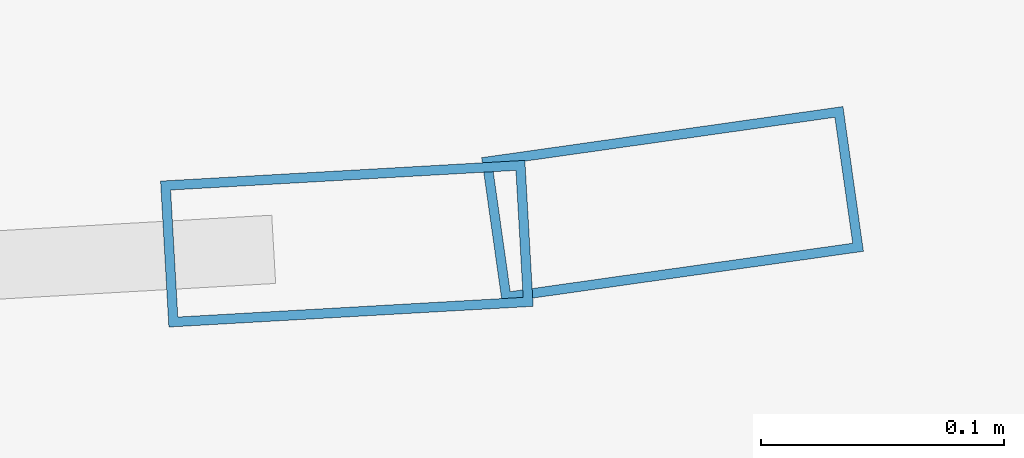
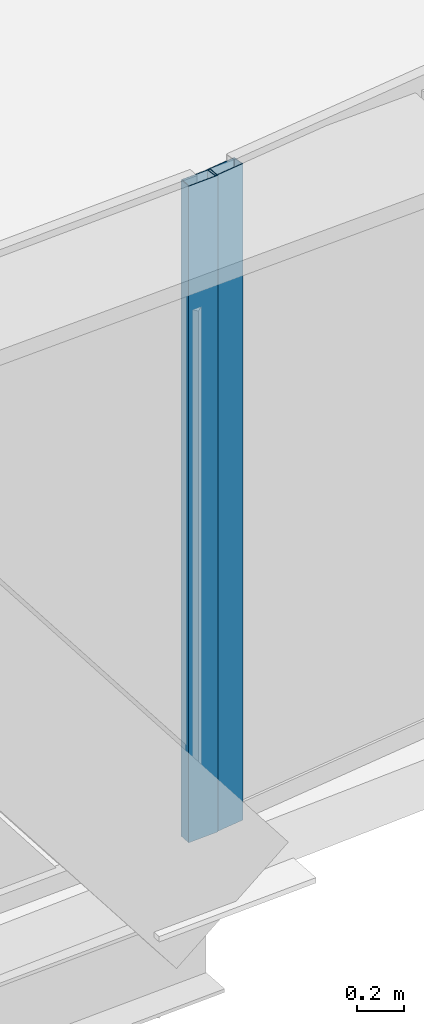
# One storey, part 14 of 42: 2 members, 2 elements without a shape of their own.
"""IFC4 building model written with IfcOpenShell, lengths in metres."""

import ifcopenshell
import ifcopenshell.guid

model = None  # the IFC model being written
_history = None  # IfcOwnerHistory: only IFC2X3 demands one
_inside = {}  # id of a spatial element -> (the spatial element, [elements in it])
_under = {}  # id of a project, library or spatial element -> (it, [spatial elements below it])
_declared = {}  # id of a project -> (the project, [libraries it declares])
_typed = {}  # id of a type object -> (the type object, [elements of that type])
_made_of = {}  # id of a material, layer set ... -> (it, [elements and type objects made of it])


def new_model(schema):
    """Start an empty IFC model of exactly this schema.

    Asked for "IFC4X3", IfcOpenShell would pick the latest addendum, in which some entities
    have other attributes; the version numbers below select the first issue.
    IFC2X3 requires an IfcOwnerHistory on every rooted entity: one is made here for all.
    """
    global model, _history
    if schema == "IFC4X3":
        model = ifcopenshell.file(schema_version=(4, 3, 0, 0))
    else:
        model = ifcopenshell.file(schema=schema)
    _inside.clear()
    _under.clear()
    _declared.clear()
    _typed.clear()
    _made_of.clear()
    _history = None
    if model.schema == "IFC2X3":
        org = make("IfcOrganization", Name="unknown")
        user = make(
            "IfcPersonAndOrganization",
            ThePerson=make("IfcPerson", FamilyName="unknown"),
            TheOrganization=org,
        )
        app = make(
            "IfcApplication",
            ApplicationDeveloper=org,
            Version="unknown",
            ApplicationFullName="unknown",
            ApplicationIdentifier="unknown",
        )
        _history = make(
            "IfcOwnerHistory",
            OwningUser=user,
            OwningApplication=app,
            ChangeAction="ADDED",
            CreationDate=0,
        )
    return model


def make(cls, **values):
    """One entity of the class cls with the attributes given. An attribute that is None is left unset."""
    return model.create_entity(
        cls, **{name: value for name, value in values.items() if value is not None}
    )


def rooted(cls, **values):
    """An entity with a GlobalId (a new one), such as an element, a storey or a relation."""
    return make(cls, GlobalId=ifcopenshell.guid.new(), OwnerHistory=_history, **values)


def si_unit(unit_type, name, prefix=None):
    """IfcSIUnit, for example si_unit("LENGTHUNIT", "METRE", prefix="MILLI")."""
    return make("IfcSIUnit", UnitType=unit_type, Prefix=prefix, Name=name)


def assignment(units):
    """IfcUnitAssignment: the units of a project."""
    return None if units is None else make("IfcUnitAssignment", Units=units)


def point(xyz):
    """IfcCartesianPoint."""
    return None if xyz is None else make("IfcCartesianPoint", Coordinates=xyz)


def direction(xyz):
    """IfcDirection."""
    return None if xyz is None else make("IfcDirection", DirectionRatios=xyz)


def frame(location, z_axis=None, x_axis=None):
    """IfcAxis2Placement3D, a coordinate frame: its origin and axes. An axis left out is left unset."""
    return make(
        "IfcAxis2Placement3D",
        Location=point(location),
        Axis=direction(z_axis),
        RefDirection=direction(x_axis),
    )


def frame_2d(location, x_axis=None):
    """IfcAxis2Placement2D, a coordinate frame in the plane: its origin and x axis."""
    return make(
        "IfcAxis2Placement2D", Location=point(location), RefDirection=direction(x_axis)
    )


def origin():
    """The frame at (0, 0, 0) with its axes left unset."""
    return frame((0.0, 0.0, 0.0))


def origin_2d():
    """The frame at (0, 0) in the plane with its x axis left unset."""
    return frame_2d((0.0, 0.0))


def place(relative_to, where):
    """IfcLocalPlacement: puts the frame where relative to a parent placement (None: the world)."""
    return make(
        "IfcLocalPlacement", PlacementRelTo=relative_to, RelativePlacement=where
    )


def context(
    kind, dimensions, precision=None, world=None, true_north=None, identifier=None
):
    """IfcGeometricRepresentationContext, for example the 3D "Model" context."""
    return make(
        "IfcGeometricRepresentationContext",
        ContextIdentifier=identifier,
        ContextType=kind,
        CoordinateSpaceDimension=dimensions,
        Precision=precision,
        WorldCoordinateSystem=world,
        TrueNorth=true_north,
    )


def subcontext(parent, identifier, kind, view, scale=None):
    """IfcGeometricRepresentationSubContext, for example "Body" below "Model"."""
    return make(
        "IfcGeometricRepresentationSubContext",
        ContextIdentifier=identifier,
        ContextType=kind,
        ParentContext=parent,
        TargetScale=scale,
        TargetView=view,
    )


def project(units=None, contexts=None):
    """IfcProject with its units and contexts."""
    return rooted(
        "IfcProject",
        Name="project",
        RepresentationContexts=contexts,
        UnitsInContext=assignment(units),
    )


def spatial(cls, under=None, at=None, **own):
    """A site, building, storey or space (cls), placed at a placement, below another one or the project."""
    s = rooted(cls, ObjectPlacement=at, **own)
    if under is not None:
        _under.setdefault(under.id(), (under, []))[1].append(s)
    return s


def profile(cls, at=None, kind="AREA", **sizes):
    """A parametric profile (cls). Its sizes go by their IFC names, for example OverallWidth=200.0."""
    return make(cls, ProfileType=kind, Position=at, **sizes)


def hollow_rectangle(**sizes):
    """IfcRectangleHollowProfileDef."""
    return profile("IfcRectangleHollowProfileDef", **sizes)


def extrude(swept, where, along, depth):
    """IfcExtrudedAreaSolid: the profile swept, set in the frame where, extruded along a direction by depth."""
    return make(
        "IfcExtrudedAreaSolid",
        SweptArea=swept,
        Position=where,
        ExtrudedDirection=direction(along),
        Depth=depth,
    )


def shape(context_of_items, identifier, shape_type, items):
    """IfcShapeRepresentation: the items that make up one representation, for example the "Body"."""
    return make(
        "IfcShapeRepresentation",
        ContextOfItems=context_of_items,
        RepresentationIdentifier=identifier,
        RepresentationType=shape_type,
        Items=items,
    )


def source(mapping_origin, context_of_items, identifier, shape_type, items):
    """IfcRepresentationMap: a shape defined once, which mapped items show again and again."""
    return make(
        "IfcRepresentationMap",
        MappingOrigin=mapping_origin,
        MappedRepresentation=shape(context_of_items, identifier, shape_type, items),
    )


def transform(
    local_origin,
    x_axis=None,
    y_axis=None,
    z_axis=None,
    scale=None,
    scale2=None,
    scale3=None,
    uniform=True,
):
    """IfcCartesianTransformationOperator3D, or its non-uniform kind. x_axis, y_axis, z_axis: its Axis1, 2, 3."""
    if uniform:
        return make(
            "IfcCartesianTransformationOperator3D",
            Axis1=direction(x_axis),
            Axis2=direction(y_axis),
            LocalOrigin=point(local_origin),
            Scale=scale,
            Axis3=direction(z_axis),
        )
    return make(
        "IfcCartesianTransformationOperator3DnonUniform",
        Axis1=direction(x_axis),
        Axis2=direction(y_axis),
        LocalOrigin=point(local_origin),
        Scale=scale,
        Axis3=direction(z_axis),
        Scale2=scale2,
        Scale3=scale3,
    )


def mapped(mapping_source, mapping_target):
    """IfcMappedItem: shows the shape of a source again, moved by a transform."""
    return make(
        "IfcMappedItem", MappingSource=mapping_source, MappingTarget=mapping_target
    )


def material(Name=None, Category=None):
    """IfcMaterial."""
    return make("IfcMaterial", Name=Name, Category=Category)


def layer(
    of_material, thickness, ventilated=None, Name=None, Category=None, Priority=None
):
    """IfcMaterialLayer: one layer of a wall or slab, of a material (None: an air gap)."""
    return make(
        "IfcMaterialLayer",
        Material=of_material,
        LayerThickness=thickness,
        IsVentilated=ventilated,
        Name=Name,
        Category=Category,
        Priority=Priority,
    )


def layer_set(layers, Name=None):
    """IfcMaterialLayerSet."""
    return make("IfcMaterialLayerSet", MaterialLayers=layers, LayerSetName=Name)


def material_profile(
    of_material, cross_section, Name=None, Category=None, Priority=None
):
    """IfcMaterialProfile: a cross section and its material."""
    return make(
        "IfcMaterialProfile",
        Name=Name,
        Material=of_material,
        Profile=cross_section,
        Priority=Priority,
        Category=Category,
    )


def profile_set(profiles, Name=None, composite=None):
    """IfcMaterialProfileSet."""
    return make(
        "IfcMaterialProfileSet",
        Name=Name,
        MaterialProfiles=profiles,
        CompositeProfile=composite,
    )


def made_of(thing, what):
    """Note that an element or type object is made of a material, layer set ...; save() writes the relation."""
    if what is not None:
        _made_of.setdefault(what.id(), (what, []))[1].append(thing)
    return thing


def type_object(cls, material=None, **own):
    """A type object (cls), such as IfcWallType, which elements share."""
    return made_of(rooted(cls, **own), material)


def element(
    cls,
    number,
    at=None,
    inside=None,
    cuts=None,
    type_object=None,
    material=None,
    context=None,
    identifier="Body",
    shape_type=None,
    held_by="IfcProductDefinitionShape",
    body=None,
    shapes=None,
    **own,
):
    """One element of the class cls, such as IfcWall. Its Tag is "e" and its number.

    at: its placement. inside: the storey or other place that contains it. cuts: it is an
    opening in that element (IfcRelVoidsElement). A single representation is given by context,
    identifier, shape_type and body (its items); several are given by shapes. held_by: the class
    of the entity that holds the representations. save() writes the other relations.
    """
    e = rooted(cls, Tag="e%d" % number, ObjectPlacement=at, **own)
    if body is not None:
        shapes = [shape(context, identifier, shape_type, body)]
    if shapes is not None:
        e.Representation = make(held_by, Representations=shapes)
    if inside is not None:
        _inside.setdefault(inside.id(), (inside, []))[1].append(e)
    if cuts is not None:
        rooted(
            "IfcRelVoidsElement", RelatingBuildingElement=cuts, RelatedOpeningElement=e
        )
    if type_object is not None:
        _typed.setdefault(type_object.id(), (type_object, []))[1].append(e)
    return made_of(e, material)


def aggregate(whole, parts):
    """IfcRelAggregates: a whole, such as a stair, and the parts it consists of."""
    return rooted("IfcRelAggregates", RelatingObject=whole, RelatedObjects=parts)


def save(model, path):
    """Write the relations noted so far, then the file.

    IfcRelAggregates (storeys below a building ...), IfcRelContainedInSpatialStructure (elements
    in a storey), IfcRelDefinesByType, IfcRelAssociatesMaterial and IfcRelDeclares: one each for
    every whole, place, type object, material and project.
    """
    for whole, parts in _under.values():
        aggregate(whole, parts)
    for where, things in _inside.values():
        rooted(
            "IfcRelContainedInSpatialStructure",
            RelatedElements=things,
            RelatingStructure=where,
        )
    for kind, things in _typed.values():
        rooted("IfcRelDefinesByType", RelatedObjects=things, RelatingType=kind)
    for what, things in _made_of.values():
        rooted("IfcRelAssociatesMaterial", RelatedObjects=things, RelatingMaterial=what)
    for by, libraries in _declared.values():
        rooted("IfcRelDeclares", RelatingContext=by, RelatedDefinitions=libraries)
    model.write(path)


model = new_model("IFC4")

# Units and contexts
model_context = context("Model", 3, precision=1e-05, world=origin(), true_north=direction((0.0, 1.0)))
body_context = subcontext(model_context, "Body", "Model", "MODEL_VIEW")
ifc_project = project(units=[si_unit("LENGTHUNIT", "METRE"), si_unit("AREAUNIT", "SQUARE_METRE"), si_unit("VOLUMEUNIT", "CUBIC_METRE"), si_unit("PLANEANGLEUNIT", "RADIAN"), si_unit("MASSUNIT", "GRAM", prefix="KILO"), si_unit("THERMODYNAMICTEMPERATUREUNIT", "KELVIN"), si_unit("POWERUNIT", "WATT")], contexts=[model_context])

# Site, building, storey
site_placement = place(None, origin())
site = spatial("IfcSite", under=ifc_project, at=site_placement, CompositionType="ELEMENT")
building_placement = place(site_placement, origin())
building = spatial("IfcBuilding", under=site, at=building_placement, Name="Yunzhuo Pagoda Commons", CompositionType="ELEMENT")
storey_placement = place(building_placement, frame((0.0, 0.0, 129.830078125)))
storey = spatial("IfcBuildingStorey", under=building, at=storey_placement, Name="L32", CompositionType="ELEMENT", Elevation=129.830078125)

# Curtain wall, member
ifc_material = material(Name="Anodized aluminium 6063-T6", Category="aluminium")
ifc_layer = layer(ifc_material, 0.14990234375)
ifc_layer_set = layer_set([ifc_layer], Name="Anodized aluminium 6063-T6")
curtain_wall_type = type_object("IfcCurtainWallType", Name="CW-MID Mid-Zone Ribbon Curtain Wall", PredefinedType="NOTDEFINED", material=ifc_layer_set)
curtain_wall_1_placement = place(storey_placement, origin())
curtain_wall_1 = element("IfcCurtainWall", 1, at=curtain_wall_1_placement, inside=storey, type_object=curtain_wall_type, Name="L32 curtain wall CW-L32-F1B4", PredefinedType="NOTDEFINED")
ifc_material_profile = material_profile(ifc_material, hollow_rectangle(XDim=0.06005859375, YDim=0.14990234375, WallThickness=0.00390625, at=origin_2d()), Name="Anodized aluminium 6063-T6")
ifc_profile_set = profile_set([ifc_material_profile], Name="Anodized aluminium 6063-T6")
member_type = type_object("IfcMemberType", Name="CW-MID-M Mullion RHS 150x60x4", PredefinedType="MULLION", material=ifc_profile_set)
shared_shape = source(origin(), body_context, "Body", "SweptSolid", [
    extrude(hollow_rectangle(XDim=0.06005859375, YDim=0.14990234375, WallThickness=0.00390625, at=origin_2d()), origin(), (0.0, 0.0, 1.0), 3.419921875),
])
member_1_placement = place(storey_placement, frame((64.868408203125, 13.56005859375, 0.0), z_axis=(0.0, 0.0, 1.0), x_axis=(-0.056741862165, 0.99838888269, 0.0)))
member_1 = element("IfcMember", 2, at=member_1_placement, type_object=member_type, Name="CW mullion 2", PredefinedType="MULLION", context=body_context, shape_type="MappedRepresentation", body=[
    mapped(shared_shape, transform((0.0, 0.0, 0.0), scale=1.0)),
])
aggregate(curtain_wall_1, [member_1])

curtain_wall_2_placement = place(storey_placement, origin())
curtain_wall_2 = element("IfcCurtainWall", 3, at=curtain_wall_2_placement, inside=storey, type_object=curtain_wall_type, Name="L32 curtain wall CW-L32-F1B5", PredefinedType="NOTDEFINED")
member_2_placement = place(storey_placement, frame((65.002197265625, 13.576171875, 0.0), z_axis=(0.0, 0.0, 1.0), x_axis=(-0.140026939768, 0.990147694104, 0.0)))
member_2 = element("IfcMember", 4, at=member_2_placement, type_object=member_type, Name="CW mullion 1", PredefinedType="MULLION", context=body_context, shape_type="MappedRepresentation", body=[
    mapped(shared_shape, transform((0.0, 0.0, 0.0), scale=1.0)),
])
aggregate(curtain_wall_2, [member_2])

save(model, "model.ifc")
